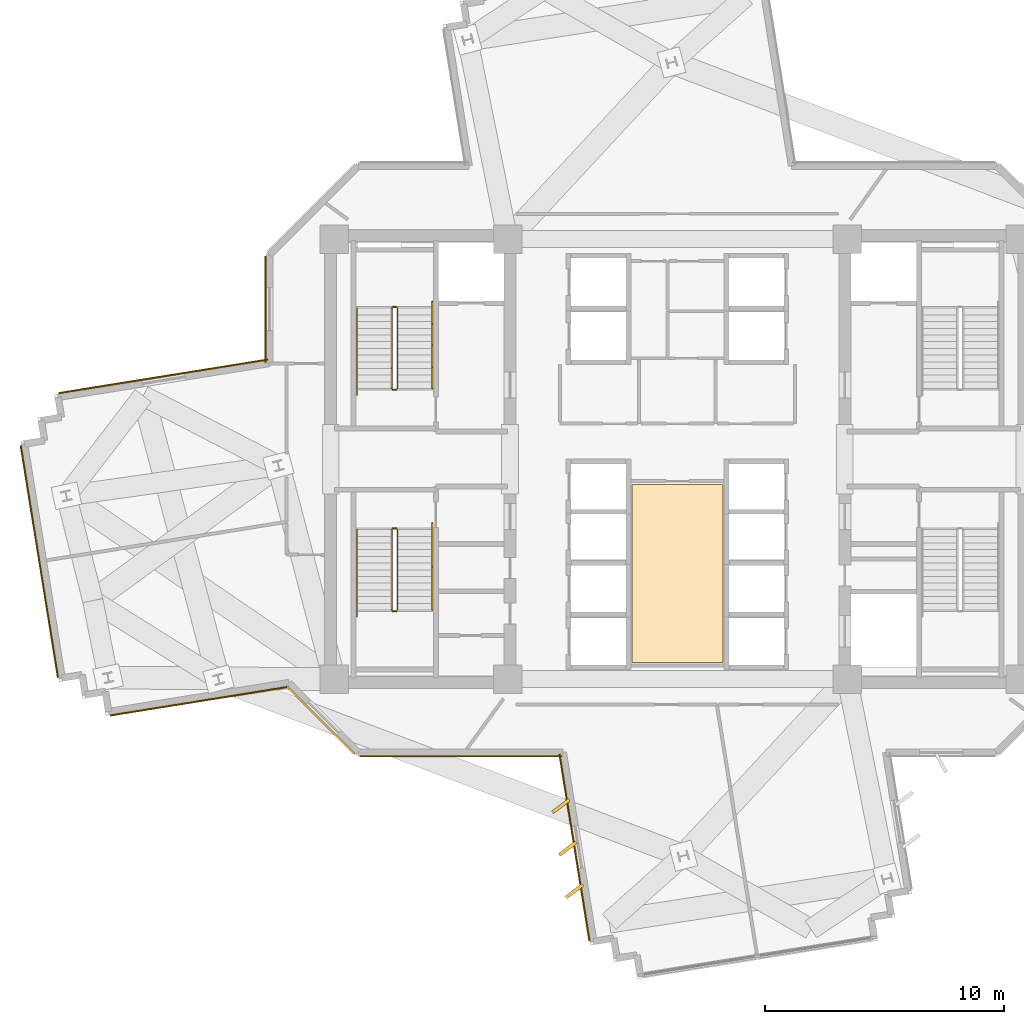
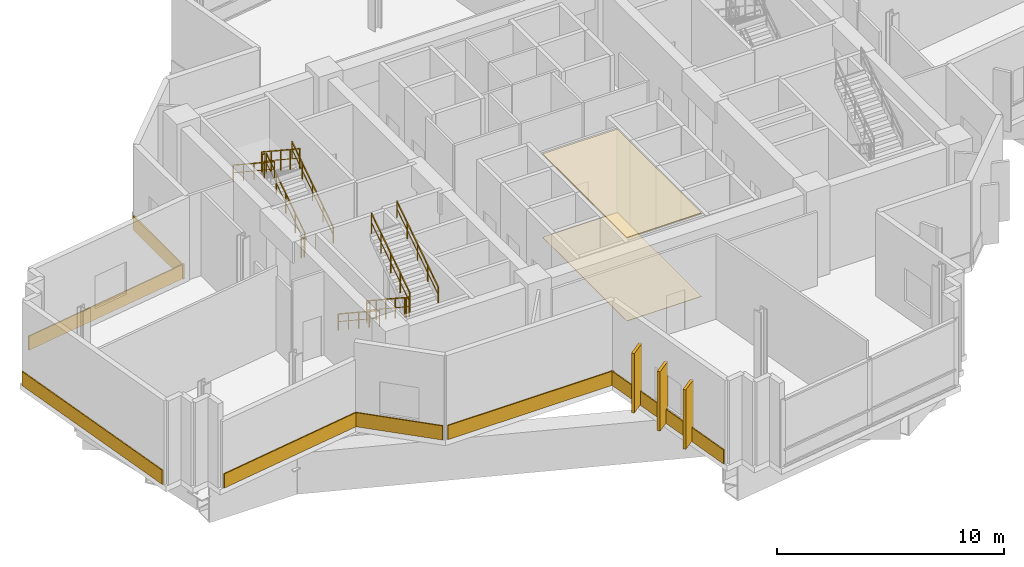
# One storey, part 10 of 12: 12 coverings, 12 railings.
"""IFC4 building model written with IfcOpenShell, lengths in metres."""

from ifc_helpers import new_model, si_unit, direction, frame, origin, origin_2d, place, context, subcontext, project, spatial, polyline, rectangle, outline, extrude, source, transform, mapped, material, layer, layer_set, type_object, element, save


model = new_model("IFC4")

# Units and contexts
model_context = context("Model", 3, precision=1e-05, world=origin(), true_north=direction((0.0, 1.0)))
body_context = subcontext(model_context, "Body", "Model", "MODEL_VIEW")
ifc_project = project(units=[si_unit("LENGTHUNIT", "METRE"), si_unit("AREAUNIT", "SQUARE_METRE"), si_unit("VOLUMEUNIT", "CUBIC_METRE"), si_unit("PLANEANGLEUNIT", "RADIAN"), si_unit("MASSUNIT", "GRAM", prefix="KILO")], contexts=[model_context])

# Site, building, storey
site_placement = place(None, origin())
site = spatial("IfcSite", under=ifc_project, at=site_placement, CompositionType="ELEMENT")
building_placement = place(site_placement, origin())
building = spatial("IfcBuilding", under=site, at=building_placement, Name="Zahravan Cultural Tower", CompositionType="ELEMENT")
storey_placement = place(building_placement, frame((0.0, 0.0, 130.800048828125)))
storey = spatial("IfcBuildingStorey", under=building, at=storey_placement, Name="L29", CompositionType="ELEMENT", Elevation=130.800048828125)

# Coverings
ifc_material_1 = material(Name="Acoustic mineral fibreboard")
ifc_layer_1 = layer(ifc_material_1, 0.0400390625)
ifc_layer_set_1 = layer_set([ifc_layer_1], Name="Acoustic mineral fibreboard")
covering_type_1 = type_object("IfcCoveringType", Name="COV-CEIL-AC20", PredefinedType="CEILING", material=ifc_layer_set_1)
covering_1_placement = place(storey_placement, frame((0.0, 0.0, 4.47998046875)))
element("IfcCovering", 1, at=covering_1_placement, inside=storey, type_object=covering_type_1, Name="L29 Acoustic Suspended Ceiling", PredefinedType="CEILING", context=body_context, shape_type="SweptSolid", body=[
    extrude(outline(polyline([(37.89990234375, 25.93994140625), (34.10009765625, 25.93994140625), (34.10009765625, 18.5), (37.89990234375, 18.5), (37.89990234375, 25.93994140625)])), origin(), (0.0, 0.0, 1.0), 0.0400390625),
])
ifc_material_2 = material(Name="Terrazzo flooring")
ifc_layer_2 = layer(ifc_material_2, 0.02490234375)
ifc_layer_set_2 = layer_set([ifc_layer_2], Name="Terrazzo flooring")
covering_type_2 = type_object("IfcCoveringType", Name="COV-FLR-TZ25", PredefinedType="FLOORING", material=ifc_layer_set_2)
covering_2_placement = place(storey_placement, origin())
element("IfcCovering", 2, at=covering_2_placement, inside=storey, type_object=covering_type_2, Name="L29 Polished Terrazzo Flooring", PredefinedType="FLOORING", context=body_context, shape_type="SweptSolid", body=[
    extrude(outline(polyline([(37.89990234375, 25.93994140625), (34.10009765625, 25.93994140625), (34.10009765625, 18.5), (37.89990234375, 18.5), (37.89990234375, 25.93994140625)])), origin(), (0.0, 0.0, 1.0), 0.02490234375),
])

# Railings
ifc_material_3 = material(Name="Steel ASTM A572 Grade 50", Category="steel")
railing_type_1 = type_object("IfcRailingType", Name="RL-STAIR-GRD1150", PredefinedType="BALUSTRADE", material=ifc_material_3)
railing_1_placement = place(storey_placement, frame((24.300048828125, 29.949951171875, 0.1845703125)))
element("IfcRailing", 3, at=railing_1_placement, inside=storey, type_object=railing_type_1, Name="L29 ST-W1 stair guard 1", PredefinedType="BALUSTRADE", context=body_context, shape_type="SweptSolid", body=[
    extrude(rectangle(XDim=0.05, YDim=0.05, at=origin_2d()), frame((0.0, 0.0, 1.0751953125), z_axis=(0.0, 0.834876476806, 0.550437342915), x_axis=(-1.0, 0.0, 0.0)), (0.0, 0.0, 1.0), 4.024658203125),
    extrude(rectangle(XDim=0.032, YDim=0.032, at=origin_2d()), frame((0.0, 0.0, 0.572021484375), z_axis=(0.0, 0.834876476806, 0.550437342915), x_axis=(-1.0, 0.0, 0.0)), (0.0, 0.0, 1.0), 4.024658203125),
    extrude(rectangle(XDim=0.04, YDim=0.04, at=origin_2d()), origin(), (0.0, 0.0, 1.0), 1.10009765625),
    extrude(rectangle(XDim=0.04, YDim=0.04, at=origin_2d()), frame((0.0, 0.840087890625, 0.5537109375)), (0.0, 0.0, 1.0), 1.10009765625),
    extrude(rectangle(XDim=0.04, YDim=0.04, at=origin_2d()), frame((0.0, 1.68017578125, 1.107666015625)), (0.0, 0.0, 1.0), 1.10009765625),
    extrude(rectangle(XDim=0.04, YDim=0.04, at=origin_2d()), frame((0.0, 2.52001953125, 1.66162109375)), (0.0, 0.0, 1.0), 1.10009765625),
    extrude(rectangle(XDim=0.04, YDim=0.04, at=origin_2d()), frame((0.0, 3.360107421875, 2.21533203125)), (0.0, 0.0, 1.0), 1.10009765625),
])
railing_2_placement = place(storey_placement, frame((24.25, 33.360107421875, 2.39990234375)))
element("IfcRailing", 4, at=railing_2_placement, inside=storey, type_object=railing_type_1, Name="L29 ST-W1 stair guard 2", PredefinedType="BALUSTRADE", context=body_context, shape_type="SweptSolid", body=[
    extrude(rectangle(XDim=0.05, YDim=0.05, at=origin_2d()), frame((0.0, 0.0, 1.0751953125), z_axis=(-1.0, 0.0, 0.0), x_axis=(0.0, -1.0, 0.0)), (0.0, 0.0, 1.0), 0.14990234375),
    extrude(rectangle(XDim=0.032, YDim=0.032, at=origin_2d()), frame((0.0, 0.0, 0.572021484375), z_axis=(-1.0, 0.0, 0.0), x_axis=(0.0, -1.0, 0.0)), (0.0, 0.0, 1.0), 0.14990234375),
    extrude(rectangle(XDim=0.04, YDim=0.04, at=origin_2d()), origin(), (0.0, 0.0, 1.0), 1.10009765625),
    extrude(rectangle(XDim=0.04, YDim=0.04, at=origin_2d()), frame((-0.14990234375, 0.0, 0.0)), (0.0, 0.0, 1.0), 1.10009765625),
])
railing_3_placement = place(storey_placement, frame((24.050048828125, 33.31005859375, 2.58447265625)))
element("IfcRailing", 5, at=railing_3_placement, inside=storey, type_object=railing_type_1, Name="L29 ST-W1 stair guard 3", PredefinedType="BALUSTRADE", context=body_context, shape_type="SweptSolid", body=[
    extrude(rectangle(XDim=0.05, YDim=0.05, at=origin_2d()), frame((0.0, 0.0, 1.0751953125), z_axis=(0.0, -0.834848600103, 0.550479622607), x_axis=(1.0, 0.0, 0.0)), (0.0, 0.0, 1.0), 4.02490234375),
    extrude(rectangle(XDim=0.032, YDim=0.032, at=origin_2d()), frame((0.0, 0.0, 0.572021484375), z_axis=(0.0, -0.834848600103, 0.550479622607), x_axis=(1.0, 0.0, 0.0)), (0.0, 0.0, 1.0), 4.02490234375),
    extrude(rectangle(XDim=0.04, YDim=0.04, at=origin_2d()), origin(), (0.0, 0.0, 1.0), 1.10009765625),
    extrude(rectangle(XDim=0.04, YDim=0.04, at=origin_2d()), frame((0.0, -0.840087890625, 0.553955078125)), (0.0, 0.0, 1.0), 1.10009765625),
    extrude(rectangle(XDim=0.04, YDim=0.04, at=origin_2d()), frame((0.0, -1.68017578125, 1.10791015625)), (0.0, 0.0, 1.0), 1.10009765625),
    extrude(rectangle(XDim=0.04, YDim=0.04, at=origin_2d()), frame((0.0, -2.52001953125, 1.66162109375)), (0.0, 0.0, 1.0), 1.10009765625),
    extrude(rectangle(XDim=0.04, YDim=0.04, at=origin_2d()), frame((0.0, -3.360107421875, 2.215576171875)), (0.0, 0.0, 1.0), 1.10009765625),
])
railing_4_placement = place(storey_placement, frame((24.25, 29.89990234375, 0.0)))
element("IfcRailing", 6, at=railing_4_placement, inside=storey, type_object=railing_type_1, Name="L29 ST-W1 stair guard 4", PredefinedType="BALUSTRADE", context=body_context, shape_type="SweptSolid", body=[
    extrude(rectangle(XDim=0.05, YDim=0.05, at=origin_2d()), frame((0.0, 0.0, 1.0751953125), z_axis=(-1.0, 0.0, 0.0), x_axis=(0.0, -1.0, 0.0)), (0.0, 0.0, 1.0), 0.14990234375),
    extrude(rectangle(XDim=0.032, YDim=0.032, at=origin_2d()), frame((0.0, 0.0, 0.572021484375), z_axis=(-1.0, 0.0, 0.0), x_axis=(0.0, -1.0, 0.0)), (0.0, 0.0, 1.0), 0.14990234375),
    extrude(rectangle(XDim=0.04, YDim=0.04, at=origin_2d()), origin(), (0.0, 0.0, 1.0), 1.10009765625),
    extrude(rectangle(XDim=0.04, YDim=0.04, at=origin_2d()), frame((-0.14990234375, 0.0, 0.0)), (0.0, 0.0, 1.0), 1.10009765625),
])
railing_5_placement = place(storey_placement, frame((24.050048828125, 24.050048828125, 0.1845703125)))
element("IfcRailing", 7, at=railing_5_placement, inside=storey, type_object=railing_type_1, Name="L29 ST-W2 stair guard 1", PredefinedType="BALUSTRADE", context=body_context, shape_type="SweptSolid", body=[
    extrude(rectangle(XDim=0.05, YDim=0.05, at=origin_2d()), frame((0.0, 0.0, 1.0751953125), z_axis=(0.0, -0.834876476806, 0.550437342915), x_axis=(1.0, 0.0, 0.0)), (0.0, 0.0, 1.0), 4.024658203125),
    extrude(rectangle(XDim=0.032, YDim=0.032, at=origin_2d()), frame((0.0, 0.0, 0.572021484375), z_axis=(0.0, -0.834876476806, 0.550437342915), x_axis=(1.0, 0.0, 0.0)), (0.0, 0.0, 1.0), 4.024658203125),
    extrude(rectangle(XDim=0.04, YDim=0.04, at=origin_2d()), origin(), (0.0, 0.0, 1.0), 1.10009765625),
    extrude(rectangle(XDim=0.04, YDim=0.04, at=origin_2d()), frame((0.0, -0.840087890625, 0.5537109375)), (0.0, 0.0, 1.0), 1.10009765625),
    extrude(rectangle(XDim=0.04, YDim=0.04, at=origin_2d()), frame((0.0, -1.68017578125, 1.107666015625)), (0.0, 0.0, 1.0), 1.10009765625),
    extrude(rectangle(XDim=0.04, YDim=0.04, at=origin_2d()), frame((0.0, -2.52001953125, 1.66162109375)), (0.0, 0.0, 1.0), 1.10009765625),
    extrude(rectangle(XDim=0.04, YDim=0.04, at=origin_2d()), frame((0.0, -3.360107421875, 2.21533203125)), (0.0, 0.0, 1.0), 1.10009765625),
])
railing_6_placement = place(storey_placement, frame((24.10009765625, 20.639892578125, 2.39990234375)))
element("IfcRailing", 8, at=railing_6_placement, inside=storey, type_object=railing_type_1, Name="L29 ST-W2 stair guard 2", PredefinedType="BALUSTRADE", context=body_context, shape_type="SweptSolid", body=[
    extrude(rectangle(XDim=0.05, YDim=0.05, at=origin_2d()), frame((0.0, 0.0, 1.0751953125), z_axis=(1.0, 0.0, 0.0), x_axis=(0.0, 1.0, 0.0)), (0.0, 0.0, 1.0), 0.14990234375),
    extrude(rectangle(XDim=0.032, YDim=0.032, at=origin_2d()), frame((0.0, 0.0, 0.572021484375), z_axis=(1.0, 0.0, 0.0), x_axis=(0.0, 1.0, 0.0)), (0.0, 0.0, 1.0), 0.14990234375),
    extrude(rectangle(XDim=0.04, YDim=0.04, at=origin_2d()), origin(), (0.0, 0.0, 1.0), 1.10009765625),
    extrude(rectangle(XDim=0.04, YDim=0.04, at=origin_2d()), frame((0.14990234375, 0.0, 0.0)), (0.0, 0.0, 1.0), 1.10009765625),
])
railing_7_placement = place(storey_placement, frame((24.300048828125, 20.68994140625, 2.58447265625)))
element("IfcRailing", 9, at=railing_7_placement, inside=storey, type_object=railing_type_1, Name="L29 ST-W2 stair guard 3", PredefinedType="BALUSTRADE", context=body_context, shape_type="SweptSolid", body=[
    extrude(rectangle(XDim=0.05, YDim=0.05, at=origin_2d()), frame((0.0, 0.0, 1.0751953125), z_axis=(0.0, 0.834848600103, 0.550479622607), x_axis=(-1.0, 0.0, 0.0)), (0.0, 0.0, 1.0), 4.02490234375),
    extrude(rectangle(XDim=0.032, YDim=0.032, at=origin_2d()), frame((0.0, 0.0, 0.572021484375), z_axis=(0.0, 0.834848600103, 0.550479622607), x_axis=(-1.0, 0.0, 0.0)), (0.0, 0.0, 1.0), 4.02490234375),
    extrude(rectangle(XDim=0.04, YDim=0.04, at=origin_2d()), origin(), (0.0, 0.0, 1.0), 1.10009765625),
    extrude(rectangle(XDim=0.04, YDim=0.04, at=origin_2d()), frame((0.0, 0.840087890625, 0.553955078125)), (0.0, 0.0, 1.0), 1.10009765625),
    extrude(rectangle(XDim=0.04, YDim=0.04, at=origin_2d()), frame((0.0, 1.68017578125, 1.10791015625)), (0.0, 0.0, 1.0), 1.10009765625),
    extrude(rectangle(XDim=0.04, YDim=0.04, at=origin_2d()), frame((0.0, 2.52001953125, 1.66162109375)), (0.0, 0.0, 1.0), 1.10009765625),
    extrude(rectangle(XDim=0.04, YDim=0.04, at=origin_2d()), frame((0.0, 3.360107421875, 2.215576171875)), (0.0, 0.0, 1.0), 1.10009765625),
])
railing_8_placement = place(storey_placement, frame((24.10009765625, 24.10009765625, 0.0)))
element("IfcRailing", 10, at=railing_8_placement, inside=storey, type_object=railing_type_1, Name="L29 ST-W2 stair guard 4", PredefinedType="BALUSTRADE", context=body_context, shape_type="SweptSolid", body=[
    extrude(rectangle(XDim=0.05, YDim=0.05, at=origin_2d()), frame((0.0, 0.0, 1.0751953125), z_axis=(1.0, 0.0, 0.0), x_axis=(0.0, 1.0, 0.0)), (0.0, 0.0, 1.0), 0.14990234375),
    extrude(rectangle(XDim=0.032, YDim=0.032, at=origin_2d()), frame((0.0, 0.0, 0.572021484375), z_axis=(1.0, 0.0, 0.0), x_axis=(0.0, 1.0, 0.0)), (0.0, 0.0, 1.0), 0.14990234375),
    extrude(rectangle(XDim=0.04, YDim=0.04, at=origin_2d()), origin(), (0.0, 0.0, 1.0), 1.10009765625),
    extrude(rectangle(XDim=0.04, YDim=0.04, at=origin_2d()), frame((0.14990234375, 0.0, 0.0)), (0.0, 0.0, 1.0), 1.10009765625),
])
railing_type_2 = type_object("IfcRailingType", Name="RL-STAIR-HR900", PredefinedType="HANDRAIL", material=ifc_material_3)
railing_9_placement = place(storey_placement, frame((25.75, 29.949951171875, 0.1845703125)))
element("IfcRailing", 11, at=railing_9_placement, inside=storey, type_object=railing_type_2, Name="L29 ST-W1 stair handrail 1", PredefinedType="HANDRAIL", context=body_context, shape_type="SweptSolid", body=[
    extrude(rectangle(XDim=0.05, YDim=0.05, at=origin_2d()), frame((0.0, 0.0, 0.875), z_axis=(0.0, 0.83488217925, 0.55042869363), x_axis=(-1.0, 0.0, 0.0)), (0.0, 0.0, 1.0), 4.360107421875),
    extrude(rectangle(XDim=0.032, YDim=0.032, at=origin_2d()), frame((0.0, 0.0, 0.468017578125), z_axis=(0.0, 0.83488217925, 0.55042869363), x_axis=(-1.0, 0.0, 0.0)), (0.0, 0.0, 1.0), 4.360107421875),
    extrude(rectangle(XDim=0.04, YDim=0.04, at=origin_2d()), origin(), (0.0, 0.0, 1.0), 0.89990234375),
    extrude(rectangle(XDim=0.04, YDim=0.04, at=origin_2d()), frame((0.0, 0.91015625, 0.60009765625)), (0.0, 0.0, 1.0), 0.89990234375),
    extrude(rectangle(XDim=0.04, YDim=0.04, at=origin_2d()), frame((0.0, 1.820068359375, 1.199951171875)), (0.0, 0.0, 1.0), 0.89990234375),
    extrude(rectangle(XDim=0.04, YDim=0.04, at=origin_2d()), frame((0.0, 2.72998046875, 1.7998046875)), (0.0, 0.0, 1.0), 0.89990234375),
    extrude(rectangle(XDim=0.04, YDim=0.04, at=origin_2d()), frame((0.0, 3.64013671875, 2.39990234375)), (0.0, 0.0, 1.0), 0.89990234375),
])
railing_10_placement = place(storey_placement, frame((22.60009765625, 33.31005859375, 2.58447265625)))
element("IfcRailing", 12, at=railing_10_placement, inside=storey, type_object=railing_type_2, Name="L29 ST-W1 stair handrail 2", PredefinedType="HANDRAIL", context=body_context, shape_type="SweptSolid", body=[
    extrude(rectangle(XDim=0.05, YDim=0.05, at=origin_2d()), frame((0.0, 0.0, 0.875), z_axis=(0.0, -0.834856447115, 0.55046772177), x_axis=(1.0, 0.0, 0.0)), (0.0, 0.0, 1.0), 4.360107421875),
    extrude(rectangle(XDim=0.032, YDim=0.032, at=origin_2d()), frame((0.0, 0.0, 0.468017578125), z_axis=(0.0, -0.834856447115, 0.55046772177), x_axis=(1.0, 0.0, 0.0)), (0.0, 0.0, 1.0), 4.360107421875),
    extrude(rectangle(XDim=0.04, YDim=0.04, at=origin_2d()), origin(), (0.0, 0.0, 1.0), 0.89990234375),
    extrude(rectangle(XDim=0.04, YDim=0.04, at=origin_2d()), frame((0.0, -0.91015625, 0.60009765625)), (0.0, 0.0, 1.0), 0.89990234375),
    extrude(rectangle(XDim=0.04, YDim=0.04, at=origin_2d()), frame((0.0, -1.820068359375, 1.2001953125)), (0.0, 0.0, 1.0), 0.89990234375),
    extrude(rectangle(XDim=0.04, YDim=0.04, at=origin_2d()), frame((0.0, -2.72998046875, 1.800048828125)), (0.0, 0.0, 1.0), 0.89990234375),
    extrude(rectangle(XDim=0.04, YDim=0.04, at=origin_2d()), frame((0.0, -3.64013671875, 2.400146484375)), (0.0, 0.0, 1.0), 0.89990234375),
])
railing_11_placement = place(storey_placement, frame((22.60009765625, 24.050048828125, 0.1845703125)))
element("IfcRailing", 13, at=railing_11_placement, inside=storey, type_object=railing_type_2, Name="L29 ST-W2 stair handrail 1", PredefinedType="HANDRAIL", context=body_context, shape_type="SweptSolid", body=[
    extrude(rectangle(XDim=0.05, YDim=0.05, at=origin_2d()), frame((0.0, 0.0, 0.875), z_axis=(0.0, -0.83488217925, 0.55042869363), x_axis=(1.0, 0.0, 0.0)), (0.0, 0.0, 1.0), 4.360107421875),
    extrude(rectangle(XDim=0.032, YDim=0.032, at=origin_2d()), frame((0.0, 0.0, 0.468017578125), z_axis=(0.0, -0.83488217925, 0.55042869363), x_axis=(1.0, 0.0, 0.0)), (0.0, 0.0, 1.0), 4.360107421875),
    extrude(rectangle(XDim=0.04, YDim=0.04, at=origin_2d()), origin(), (0.0, 0.0, 1.0), 0.89990234375),
    extrude(rectangle(XDim=0.04, YDim=0.04, at=origin_2d()), frame((0.0, -0.91015625, 0.60009765625)), (0.0, 0.0, 1.0), 0.89990234375),
    extrude(rectangle(XDim=0.04, YDim=0.04, at=origin_2d()), frame((0.0, -1.820068359375, 1.199951171875)), (0.0, 0.0, 1.0), 0.89990234375),
    extrude(rectangle(XDim=0.04, YDim=0.04, at=origin_2d()), frame((0.0, -2.72998046875, 1.7998046875)), (0.0, 0.0, 1.0), 0.89990234375),
    extrude(rectangle(XDim=0.04, YDim=0.04, at=origin_2d()), frame((0.0, -3.64013671875, 2.39990234375)), (0.0, 0.0, 1.0), 0.89990234375),
])
railing_12_placement = place(storey_placement, frame((25.75, 20.68994140625, 2.58447265625)))
element("IfcRailing", 14, at=railing_12_placement, inside=storey, type_object=railing_type_2, Name="L29 ST-W2 stair handrail 2", PredefinedType="HANDRAIL", context=body_context, shape_type="SweptSolid", body=[
    extrude(rectangle(XDim=0.05, YDim=0.05, at=origin_2d()), frame((0.0, 0.0, 0.875), z_axis=(0.0, 0.834856447115, 0.55046772177), x_axis=(-1.0, 0.0, 0.0)), (0.0, 0.0, 1.0), 4.360107421875),
    extrude(rectangle(XDim=0.032, YDim=0.032, at=origin_2d()), frame((0.0, 0.0, 0.468017578125), z_axis=(0.0, 0.834856447115, 0.55046772177), x_axis=(-1.0, 0.0, 0.0)), (0.0, 0.0, 1.0), 4.360107421875),
    extrude(rectangle(XDim=0.04, YDim=0.04, at=origin_2d()), origin(), (0.0, 0.0, 1.0), 0.89990234375),
    extrude(rectangle(XDim=0.04, YDim=0.04, at=origin_2d()), frame((0.0, 0.91015625, 0.60009765625)), (0.0, 0.0, 1.0), 0.89990234375),
    extrude(rectangle(XDim=0.04, YDim=0.04, at=origin_2d()), frame((0.0, 1.820068359375, 1.2001953125)), (0.0, 0.0, 1.0), 0.89990234375),
    extrude(rectangle(XDim=0.04, YDim=0.04, at=origin_2d()), frame((0.0, 2.72998046875, 1.800048828125)), (0.0, 0.0, 1.0), 0.89990234375),
    extrude(rectangle(XDim=0.04, YDim=0.04, at=origin_2d()), frame((0.0, 3.64013671875, 2.400146484375)), (0.0, 0.0, 1.0), 0.89990234375),
])

# Coverings
ifc_material_4 = material(Name="Terracotta ceramic cladding", Category="masonry")
ifc_layer_3 = layer(ifc_material_4, 0.06005859375)
ifc_layer_set_3 = layer_set([ifc_layer_3], Name="Terracotta ceramic cladding")
covering_type_3 = type_object("IfcCoveringType", Name="COV-CLAD-TC60", PredefinedType="CLADDING", material=ifc_layer_set_3)
shared_shape_1 = source(origin(), body_context, "Body", "SweptSolid", [
    extrude(rectangle(XDim=9.820068359375, YDim=0.06005859375, at=origin_2d()), origin(), (0.0, 0.0, 1.0), 0.760009765625),
])
covering_3_placement = place(storey_placement, frame((9.316650390625, 22.716552734375, 0.02001953125), z_axis=(0.0, 0.0, 1.0), x_axis=(-0.158502730052, 0.987358539015, 0.0)))
element("IfcCovering", 15, at=covering_3_placement, inside=storey, type_object=covering_type_3, Name="L29 Terracotta Spandrel Cladding 32", PredefinedType="CLADDING", context=body_context, shape_type="MappedRepresentation", body=[
    mapped(shared_shape_1, transform((0.0, 0.0, 0.0), x_axis=(1.0, 0.0, 0.0), y_axis=(0.0, 1.0, 0.0), z_axis=(0.0, 0.0, 1.0), scale=1.0)),
])
shared_shape_2 = source(origin(), body_context, "Body", "SweptSolid", [
    extrude(rectangle(XDim=7.53466796875, YDim=0.06005859375, at=origin_2d()), origin(), (0.0, 0.0, 1.0), 0.760009765625),
])
covering_4_placement = place(storey_placement, frame((16.0087890625, 16.87841796875, 0.02001953125), z_axis=(0.0, 0.0, 1.0), x_axis=(-0.987358539015, -0.158502730052, 0.0)))
element("IfcCovering", 16, at=covering_4_placement, inside=storey, type_object=covering_type_3, Name="L29 Terracotta Spandrel Cladding 27", PredefinedType="CLADDING", context=body_context, shape_type="MappedRepresentation", body=[
    mapped(shared_shape_2, transform((0.0, 0.0, 0.0), x_axis=(1.0, 0.0, 0.0), y_axis=(0.0, 1.0, 0.0), z_axis=(0.0, 0.0, 1.0), scale=1.0)),
])
shared_shape_3 = source(origin(), body_context, "Body", "SweptSolid", [
    extrude(rectangle(XDim=0.8798828125, YDim=0.139892578125, at=origin_2d()), origin(), (0.0, 0.0, 1.0), 3.199951171875),
])
for number, where, z_axis, x_axis, name in (
    (17, (31.69873046875, 8.93603515625, 0.0498046875), (0.0, 0.0, 1.0), (-0.797373320929, -0.603486360302, 0.0), "L29 Herringbone Terracotta Fin 16"),
    (18, (31.41357421875, 10.713134765625, 0.0498046875), (0.0, 0.0, 1.0), (-0.797373320929, -0.603486360302, 0.0), "L29 Herringbone Terracotta Fin 17"),
    (19, (31.128173828125, 12.490478515625, 0.0498046875), (0.0, 0.0, 1.0), (-0.797373320929, -0.603486360302, 0.0), "L29 Herringbone Terracotta Fin 18"),
):
    element("IfcCovering", number, at=place(storey_placement, frame(where, z_axis=z_axis, x_axis=x_axis)), inside=storey, type_object=covering_type_3, Name=name, PredefinedType="CLADDING", context=body_context, shape_type="MappedRepresentation", body=[
        mapped(shared_shape_3, transform((0.0, 0.0, 0.0), x_axis=(1.0, 0.0, 0.0), y_axis=(0.0, 1.0, 0.0), z_axis=(0.0, 0.0, 1.0), scale=1.0)),
    ])
shared_shape_4 = source(origin(), body_context, "Body", "SweptSolid", [
    extrude(rectangle(XDim=8.8505859375, YDim=0.06005859375, at=origin_2d()), origin(), (0.0, 0.0, 1.0), 0.760009765625),
])
covering_5_placement = place(storey_placement, frame((14.4951171875, 30.460205078125, 0.02001953125), z_axis=(0.0, 0.0, 1.0), x_axis=(0.987358539015, 0.158502730052, 0.0)))
element("IfcCovering", 20, at=covering_5_placement, inside=storey, type_object=covering_type_3, Name="L29 Terracotta Spandrel Cladding 37", PredefinedType="CLADDING", context=body_context, shape_type="MappedRepresentation", body=[
    mapped(shared_shape_4, transform((0.0, 0.0, 0.0), x_axis=(1.0, 0.0, 0.0), y_axis=(0.0, 1.0, 0.0), z_axis=(0.0, 0.0, 1.0), scale=1.0)),
])
shared_shape_5 = source(origin(), body_context, "Body", "SweptSolid", [
    extrude(rectangle(XDim=4.435302734375, YDim=0.06005859375, at=origin_2d()), origin(), (0.0, 0.0, 1.0), 0.760009765625),
])
covering_6_placement = place(storey_placement, frame((18.77490234375, 33.2744140625, 0.02001953125), z_axis=(0.0, 0.0, 1.0), x_axis=(0.0, 1.0, 0.0)))
element("IfcCovering", 21, at=covering_6_placement, inside=storey, type_object=covering_type_3, Name="L29 Terracotta Spandrel Cladding 38", PredefinedType="CLADDING", context=body_context, shape_type="MappedRepresentation", body=[
    mapped(shared_shape_5, transform((0.0, 0.0, 0.0), x_axis=(1.0, 0.0, 0.0), y_axis=(0.0, 1.0, 0.0), z_axis=(0.0, 0.0, 1.0), scale=1.0)),
])
shared_shape_6 = source(origin(), body_context, "Body", "SweptSolid", [
    extrude(rectangle(XDim=7.912109375, YDim=0.06005859375, at=origin_2d()), origin(), (0.0, 0.0, 1.0), 0.760009765625),
])
covering_7_placement = place(storey_placement, frame((31.69482421875, 10.75830078125, 0.02001953125), z_axis=(0.0, 0.0, 1.0), x_axis=(-0.158502730052, 0.987358539015, 0.0)))
element("IfcCovering", 22, at=covering_7_placement, inside=storey, type_object=covering_type_3, Name="L29 Terracotta Spandrel Cladding 24", PredefinedType="CLADDING", context=body_context, shape_type="MappedRepresentation", body=[
    mapped(shared_shape_6, transform((0.0, 0.0, 0.0), x_axis=(1.0, 0.0, 0.0), y_axis=(0.0, 1.0, 0.0), z_axis=(0.0, 0.0, 1.0), scale=1.0)),
])
shared_shape_7 = source(origin(), body_context, "Body", "SweptSolid", [
    extrude(rectangle(XDim=8.46484375, YDim=0.06005859375, at=origin_2d()), origin(), (0.0, 0.0, 1.0), 0.760009765625),
])
covering_8_placement = place(storey_placement, frame((26.9404296875, 14.574951171875, 0.02001953125), z_axis=(0.0, 0.0, 1.0), x_axis=(-1.0, 0.0, 0.0)))
element("IfcCovering", 23, at=covering_8_placement, inside=storey, type_object=covering_type_3, Name="L29 Terracotta Spandrel Cladding 25", PredefinedType="CLADDING", context=body_context, shape_type="MappedRepresentation", body=[
    mapped(shared_shape_7, transform((0.0, 0.0, 0.0), x_axis=(1.0, 0.0, 0.0), y_axis=(0.0, 1.0, 0.0), z_axis=(0.0, 0.0, 1.0), scale=1.0)),
])
shared_shape_8 = source(origin(), body_context, "Body", "SweptSolid", [
    extrude(rectangle(XDim=4.010009765625, YDim=0.06005859375, at=origin_2d()), origin(), (0.0, 0.0, 1.0), 0.760009765625),
])
covering_9_placement = place(storey_placement, frame((21.088134765625, 16.076416015625, 0.02001953125), z_axis=(0.0, 0.0, 1.0), x_axis=(-0.707106781187, 0.707106781187, 0.0)))
element("IfcCovering", 24, at=covering_9_placement, inside=storey, type_object=covering_type_3, Name="L29 Terracotta Spandrel Cladding 26", PredefinedType="CLADDING", context=body_context, shape_type="MappedRepresentation", body=[
    mapped(shared_shape_8, transform((0.0, 0.0, 0.0), x_axis=(1.0, 0.0, 0.0), y_axis=(0.0, 1.0, 0.0), z_axis=(0.0, 0.0, 1.0), scale=1.0)),
])

save(model, "model.ifc")
